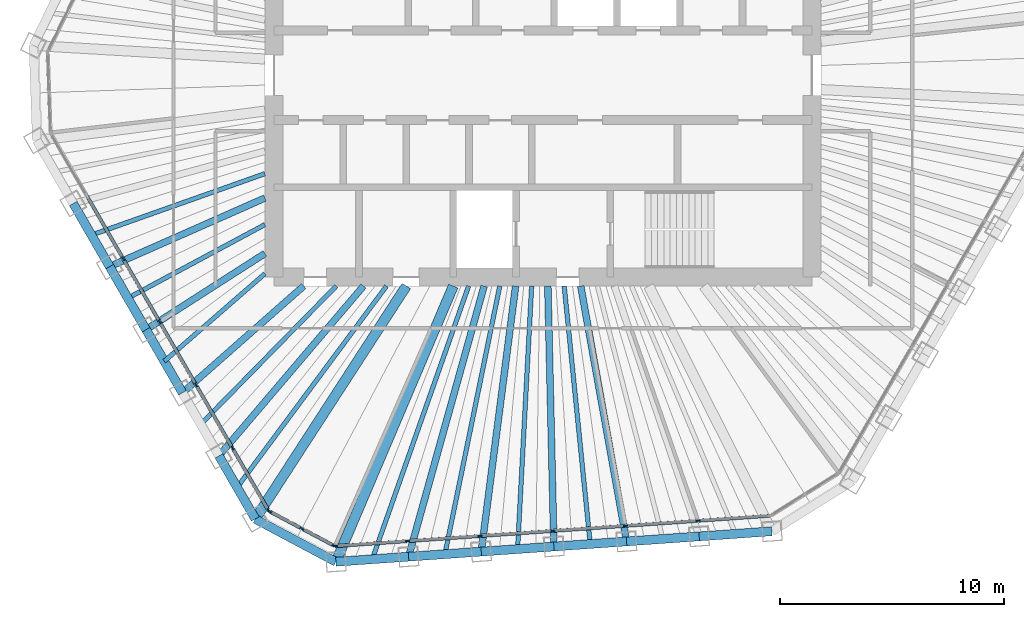
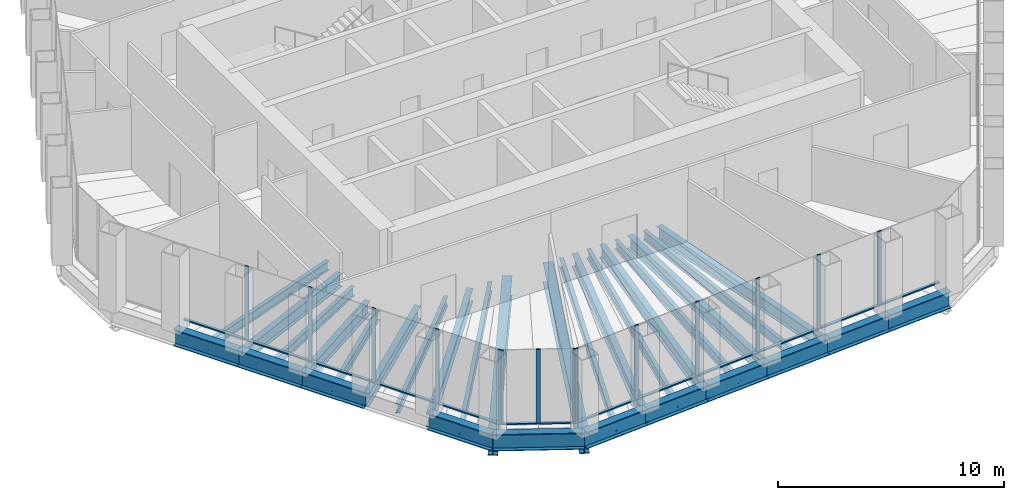
# One storey, part 2 of 14: 30 beams, 27 members, 3 elements without a shape of their own.
"""IFC4 building model written with IfcOpenShell, lengths in metres."""

from ifc_helpers import new_model, si_unit, direction, frame, origin, origin_2d, place, context, subcontext, project, spatial, rectangle, i_section, extrude, material, material_profile, profile_set, type_object, element, aggregate, save


model = new_model("IFC4")

# Units and contexts
model_context = context("Model", 3, precision=1e-05, world=origin(), true_north=direction((0.0, 1.0)))
body_context = subcontext(model_context, "Body", "Model", "MODEL_VIEW")
ifc_project = project(units=[si_unit("LENGTHUNIT", "METRE"), si_unit("AREAUNIT", "SQUARE_METRE"), si_unit("VOLUMEUNIT", "CUBIC_METRE"), si_unit("PLANEANGLEUNIT", "RADIAN"), si_unit("MASSUNIT", "GRAM", prefix="KILO")], contexts=[model_context])

# Site, building, storey
site_placement = place(None, origin())
site = spatial("IfcSite", under=ifc_project, at=site_placement, CompositionType="ELEMENT")
building_placement = place(site_placement, origin())
building = spatial("IfcBuilding", under=site, at=building_placement, Name="Qingtian Harvest Tower", CompositionType="ELEMENT")
storey_placement = place(building_placement, frame((0.0, 0.0, 316.60009765625)))
storey = spatial("IfcBuildingStorey", under=building, at=storey_placement, Name="L70", CompositionType="ELEMENT", Elevation=316.60009765625)

# Beams
ifc_material_1 = material(Name="Steel SM570MC", Category="steel")
ifc_material_profile_1 = material_profile(ifc_material_1, i_section(OverallWidth=0.449951171875, OverallDepth=1.10009765625, WebThickness=0.02197265625, FlangeThickness=0.044921875, at=origin_2d()), Name="H1100x450x22x45")
ifc_profile_set_1 = profile_set([ifc_material_profile_1], Name="Steel SM570MC")
beam_type_1 = type_object("IfcBeamType", Name="Corner floor beam FB8 H1100x450x22x45", PredefinedType="BEAM", material=ifc_profile_set_1)
beam_1_placement = place(storey_placement, frame((-9.231201171875, -21.69677734375, -0.72021484375), z_axis=(0.391505797179, 0.920175641264, 0.0), x_axis=(-0.920175641264, 0.391505797179, 0.0)))
element("IfcBeam", 1, at=beam_1_placement, inside=storey, type_object=beam_type_1, Name="Floor beam FB8 S6", PredefinedType="BEAM", context=body_context, shape_type="SweptSolid", body=[
    extrude(i_section(OverallWidth=0.449951171875, OverallDepth=1.10009765625, WebThickness=0.02197265625, FlangeThickness=0.044921875, at=origin_2d()), origin(), (0.0, 0.0, 1.0), 13.363525390625),
])
beam_2_placement = place(storey_placement, frame((-12.825439453125, -19.78564453125, -0.72021484375), z_axis=(0.543934037964, 0.839127977334, 0.0), x_axis=(-0.839127977334, 0.543934037964, 0.0)))
element("IfcBeam", 2, at=beam_2_placement, inside=storey, type_object=beam_type_1, Name="Floor beam FB8 SW0", PredefinedType="BEAM", context=body_context, shape_type="SweptSolid", body=[
    extrude(i_section(OverallWidth=0.449951171875, OverallDepth=1.10009765625, WebThickness=0.02197265625, FlangeThickness=0.044921875, at=origin_2d()), origin(), (0.0, 0.0, 1.0), 12.376708984375),
])
ifc_material_2 = material(Name="Steel SN490B", Category="steel")
ifc_material_profile_2 = material_profile(ifc_material_2, i_section(OverallWidth=0.300048828125, OverallDepth=0.699951171875, WebThickness=0.012939453125, FlangeThickness=0.02392578125, at=origin_2d()), Name="H700x300x13x24")
ifc_profile_set_2 = profile_set([ifc_material_profile_2], Name="Steel SN490B")
beam_type_2 = type_object("IfcBeamType", Name="Floor beam FB4 H700x300x13x24", PredefinedType="BEAM", material=ifc_profile_set_2)
beam_3_placement = place(storey_placement, frame((3.729248046875, -20.79052734375, -0.52001953125), z_axis=(-0.176558725829, 0.984290107811, 0.0), x_axis=(-0.984290107811, -0.176558725829, 0.0)))
element("IfcBeam", 3, at=beam_3_placement, inside=storey, type_object=beam_type_2, Name="Floor beam FB4 S2", PredefinedType="BEAM", context=body_context, shape_type="SweptSolid", body=[
    extrude(i_section(OverallWidth=0.300048828125, OverallDepth=0.699951171875, WebThickness=0.012939453125, FlangeThickness=0.02392578125, at=origin_2d()), origin(), (0.0, 0.0, 1.0), 11.572509765625),
])
beam_4_placement = place(storey_placement, frame((0.489013671875, -21.01708984375, -0.52001953125), z_axis=(-0.023257829451, 0.9997295001, 0.0), x_axis=(-0.9997295001, -0.023257829451, 0.0)))
element("IfcBeam", 4, at=beam_4_placement, inside=storey, type_object=beam_type_2, Name="Floor beam FB4 S3", PredefinedType="BEAM", context=body_context, shape_type="SweptSolid", body=[
    extrude(i_section(OverallWidth=0.300048828125, OverallDepth=0.699951171875, WebThickness=0.012939453125, FlangeThickness=0.02392578125, at=origin_2d()), origin(), (0.0, 0.0, 1.0), 11.620361328125),
])
beam_5_placement = place(storey_placement, frame((-2.7509765625, -21.24365234375, -0.52001953125), z_axis=(0.128421483878, 0.991719679385, 0.0), x_axis=(-0.991719679385, 0.128421483878, 0.0)))
element("IfcBeam", 5, at=beam_5_placement, inside=storey, type_object=beam_type_2, Name="Floor beam FB4 S4", PredefinedType="BEAM", context=body_context, shape_type="SweptSolid", body=[
    extrude(i_section(OverallWidth=0.300048828125, OverallDepth=0.699951171875, WebThickness=0.012939453125, FlangeThickness=0.02392578125, at=origin_2d()), origin(), (0.0, 0.0, 1.0), 11.942626953125),
])
beam_6_placement = place(storey_placement, frame((-5.9912109375, -21.47021484375, -0.52001953125), z_axis=(0.268777110088, 0.963202400896, 0.0), x_axis=(-0.963202400896, 0.268777110088, 0.0)))
element("IfcBeam", 6, at=beam_6_placement, inside=storey, type_object=beam_type_2, Name="Floor beam FB4 S5", PredefinedType="BEAM", context=body_context, shape_type="SweptSolid", body=[
    extrude(i_section(OverallWidth=0.300048828125, OverallDepth=0.699951171875, WebThickness=0.012939453125, FlangeThickness=0.02392578125, at=origin_2d()), origin(), (0.0, 0.0, 1.0), 12.531494140625),
])
beam_7_placement = place(storey_placement, frame((-14.449462890625, -16.972900390625, -0.52001953125), z_axis=(0.648230392117, 0.761444258457, 0.0), x_axis=(-0.761444258457, 0.648230392117, 0.0)))
element("IfcBeam", 7, at=beam_7_placement, inside=storey, type_object=beam_type_2, Name="Floor beam FB4 SW1", PredefinedType="BEAM", context=body_context, shape_type="SweptSolid", body=[
    extrude(i_section(OverallWidth=0.300048828125, OverallDepth=0.699951171875, WebThickness=0.012939453125, FlangeThickness=0.02392578125, at=origin_2d()), origin(), (0.0, 0.0, 1.0), 9.945556640625),
])
beam_8_placement = place(storey_placement, frame((-16.073486328125, -14.159912109375, -0.52001953125), z_axis=(0.750362998803, 0.661025997997, 0.0), x_axis=(-0.661025997997, 0.750362998803, 0.0)))
element("IfcBeam", 8, at=beam_8_placement, inside=storey, type_object=beam_type_2, Name="Floor beam FB4 SW2", PredefinedType="BEAM", context=body_context, shape_type="SweptSolid", body=[
    extrude(i_section(OverallWidth=0.300048828125, OverallDepth=0.699951171875, WebThickness=0.012939453125, FlangeThickness=0.02392578125, at=origin_2d()), origin(), (0.0, 0.0, 1.0), 7.200927734375),
])
beam_9_placement = place(storey_placement, frame((-17.697509765625, -11.34716796875, -0.52001953125), z_axis=(0.841819476537, 0.539759176785, 0.0), x_axis=(-0.539759176785, 0.841819476537, 0.0)))
element("IfcBeam", 9, at=beam_9_placement, inside=storey, type_object=beam_type_2, Name="Floor beam FB4 SW3", PredefinedType="BEAM", context=body_context, shape_type="SweptSolid", body=[
    extrude(i_section(OverallWidth=0.300048828125, OverallDepth=0.699951171875, WebThickness=0.012939453125, FlangeThickness=0.02392578125, at=origin_2d()), origin(), (0.0, 0.0, 1.0), 6.29296875),
])
beam_10_placement = place(storey_placement, frame((-19.321533203125, -8.5341796875, -0.52001953125), z_axis=(0.914748451897, 0.404023848, 0.0), x_axis=(-0.404023848, 0.914748451897, 0.0)))
element("IfcBeam", 10, at=beam_10_placement, inside=storey, type_object=beam_type_2, Name="Floor beam FB4 SW4", PredefinedType="BEAM", context=body_context, shape_type="SweptSolid", body=[
    extrude(i_section(OverallWidth=0.300048828125, OverallDepth=0.699951171875, WebThickness=0.012939453125, FlangeThickness=0.02392578125, at=origin_2d()), origin(), (0.0, 0.0, 1.0), 7.566650390625),
])
ifc_material_3 = material(Name="Steel SN490B", Category="steel")
ifc_material_profile_3 = material_profile(ifc_material_3, i_section(OverallWidth=0.199951171875, OverallDepth=0.5, WebThickness=0.010009765625, FlangeThickness=0.01611328125, at=origin_2d()), Name="H500x200x10x16")
ifc_profile_set_3 = profile_set([ifc_material_profile_3], Name="Steel SN490B")
beam_type_3 = type_object("IfcBeamType", Name="Floor joist J3 H500x200x10x16", PredefinedType="JOIST", material=ifc_profile_set_3)
beam_11_placement = place(storey_placement, frame((2.109130859375, -20.90380859375, -0.420166015625), z_axis=(-0.100381738783, 0.994948996943, 0.0), x_axis=(-0.994948996943, -0.100381738783, 0.0)))
element("IfcBeam", 11, at=beam_11_placement, inside=storey, type_object=beam_type_3, Name="Floor joist J3 S2", PredefinedType="JOIST", context=body_context, shape_type="SweptSolid", body=[
    extrude(i_section(OverallWidth=0.199951171875, OverallDepth=0.5, WebThickness=0.010009765625, FlangeThickness=0.01611328125, at=origin_2d()), origin(), (0.0, 0.0, 1.0), 11.562255859375),
])
beam_12_placement = place(storey_placement, frame((-1.130859375, -21.13037109375, -0.420166015625), z_axis=(0.053432551321, 0.998571460868, 0.0), x_axis=(-0.998571460868, 0.053432551321, 0.0)))
element("IfcBeam", 12, at=beam_12_placement, inside=storey, type_object=beam_type_3, Name="Floor joist J3 S3", PredefinedType="JOIST", context=body_context, shape_type="SweptSolid", body=[
    extrude(i_section(OverallWidth=0.199951171875, OverallDepth=0.5, WebThickness=0.010009765625, FlangeThickness=0.01611328125, at=origin_2d()), origin(), (0.0, 0.0, 1.0), 11.747314453125),
])
beam_13_placement = place(storey_placement, frame((-4.37109375, -21.35693359375, -0.420166015625), z_axis=(0.200514926646, 0.97969064719, 0.0), x_axis=(-0.97969064719, 0.200514926646, 0.0)))
element("IfcBeam", 13, at=beam_13_placement, inside=storey, type_object=beam_type_3, Name="Floor joist J3 S4", PredefinedType="JOIST", context=body_context, shape_type="SweptSolid", body=[
    extrude(i_section(OverallWidth=0.199951171875, OverallDepth=0.5, WebThickness=0.010009765625, FlangeThickness=0.01611328125, at=origin_2d()), origin(), (0.0, 0.0, 1.0), 12.204833984375),
])
beam_14_placement = place(storey_placement, frame((-7.611083984375, -21.58349609375, -0.420166015625), z_axis=(0.332565071267, 0.9430803112, 0.0), x_axis=(-0.9430803112, 0.332565071267, 0.0)))
element("IfcBeam", 14, at=beam_14_placement, inside=storey, type_object=beam_type_3, Name="Floor joist J3 S5", PredefinedType="JOIST", context=body_context, shape_type="SweptSolid", body=[
    extrude(i_section(OverallWidth=0.199951171875, OverallDepth=0.5, WebThickness=0.010009765625, FlangeThickness=0.01611328125, at=origin_2d()), origin(), (0.0, 0.0, 1.0), 12.9189453125),
])
beam_15_placement = place(storey_placement, frame((-13.637451171875, -18.37939453125, -0.420166015625), z_axis=(0.595869637911, 0.803081175608, 0.0), x_axis=(-0.803081175608, 0.595869637911, 0.0)))
element("IfcBeam", 15, at=beam_15_placement, inside=storey, type_object=beam_type_3, Name="Floor joist J3 SW0", PredefinedType="JOIST", context=body_context, shape_type="SweptSolid", body=[
    extrude(i_section(OverallWidth=0.199951171875, OverallDepth=0.5, WebThickness=0.010009765625, FlangeThickness=0.01611328125, at=origin_2d()), origin(), (0.0, 0.0, 1.0), 11.181396484375),
])
beam_16_placement = place(storey_placement, frame((-15.261474609375, -15.56640625, -0.420166015625), z_axis=(0.700075085428, 0.714069236673, 0.0), x_axis=(-0.714069236673, 0.700075085428, 0.0)))
element("IfcBeam", 16, at=beam_16_placement, inside=storey, type_object=beam_type_3, Name="Floor joist J3 SW1", PredefinedType="JOIST", context=body_context, shape_type="SweptSolid", body=[
    extrude(i_section(OverallWidth=0.199951171875, OverallDepth=0.5, WebThickness=0.010009765625, FlangeThickness=0.01611328125, at=origin_2d()), origin(), (0.0, 0.0, 1.0), 8.6357421875),
])
beam_17_placement = place(storey_placement, frame((-16.885498046875, -12.753662109375, -0.420166015625), z_axis=(0.754351783553, 0.656470400437, 0.0), x_axis=(-0.656470400437, 0.754351783553, 0.0)))
element("IfcBeam", 17, at=beam_17_placement, inside=storey, type_object=beam_type_3, Name="Floor joist J3 SW2", PredefinedType="JOIST", context=body_context, shape_type="SweptSolid", body=[
    extrude(i_section(OverallWidth=0.199951171875, OverallDepth=0.5, WebThickness=0.010009765625, FlangeThickness=0.01611328125, at=origin_2d()), origin(), (0.0, 0.0, 1.0), 5.9462890625),
])
beam_18_placement = place(storey_placement, frame((-18.509521484375, -9.940673828125, -0.420166015625), z_axis=(0.880999592364, 0.473117023847, 0.0), x_axis=(-0.473117023847, 0.880999592364, 0.0)))
element("IfcBeam", 18, at=beam_18_placement, inside=storey, type_object=beam_type_3, Name="Floor joist J3 SW3", PredefinedType="JOIST", context=body_context, shape_type="SweptSolid", body=[
    extrude(i_section(OverallWidth=0.199951171875, OverallDepth=0.5, WebThickness=0.010009765625, FlangeThickness=0.01611328125, at=origin_2d()), origin(), (0.0, 0.0, 1.0), 6.934814453125),
])
beam_19_placement = place(storey_placement, frame((-20.133544921875, -7.1279296875, -0.420166015625), z_axis=(0.942664093486, 0.333743025174, 0.0), x_axis=(-0.333743025174, 0.942664093486, 0.0)))
element("IfcBeam", 19, at=beam_19_placement, inside=storey, type_object=beam_type_3, Name="Floor joist J3 SW4", PredefinedType="JOIST", context=body_context, shape_type="SweptSolid", body=[
    extrude(i_section(OverallWidth=0.199951171875, OverallDepth=0.5, WebThickness=0.010009765625, FlangeThickness=0.01611328125, at=origin_2d()), origin(), (0.0, 0.0, 1.0), 8.2041015625),
])

# Curtain wall, members
ifc_material_4 = material(Name="Bronze-anodised aluminium curtain wall", Category="aluminium")
curtain_wall_type = type_object("IfcCurtainWallType", Name="Curtain wall CW5 upper office", PredefinedType="USERDEFINED", material=ifc_material_4)
curtain_wall_1_placement = place(storey_placement, origin())
curtain_wall_1 = element("IfcCurtainWall", 20, at=curtain_wall_1_placement, inside=storey, type_object=curtain_wall_type, Name="Curtain wall CW5 L70 S0-5", ObjectType="RECESSED CURTAIN WALL", PredefinedType="USERDEFINED")
ifc_material_5 = material(Name="Bronze-anodised aluminium mullion", Category="aluminium")
ifc_material_profile_4 = material_profile(ifc_material_5, rectangle(XDim=0.06494140625, YDim=0.199951171875, at=origin_2d()), Name="AL 65x200")
ifc_profile_set_4 = profile_set([ifc_material_profile_4], Name="Bronze-anodised aluminium mullion")
member_type_1 = type_object("IfcMemberType", Name="Mullion CWM 65x200", PredefinedType="MULLION", material=ifc_profile_set_4)
member_1_placement = place(storey_placement, frame((6.92041015625, -19.86572265625, 0.0), z_axis=(0.0, 0.0, 1.0), x_axis=(0.069756473744, -0.99756405026, 0.0)))
member_1 = element("IfcMember", 21, at=member_1_placement, type_object=member_type_1, Name="CW5 mullion 2", PredefinedType="MULLION", context=body_context, shape_type="SweptSolid", body=[
    extrude(rectangle(XDim=0.06494140625, YDim=0.199951171875, at=origin_2d()), origin(), (0.0, 0.0, 1.0), 4.02978515625),
])
member_2_placement = place(storey_placement, frame((3.680419921875, -20.09228515625, 0.0), z_axis=(0.0, 0.0, 1.0), x_axis=(0.069756473744, -0.99756405026, 0.0)))
member_2 = element("IfcMember", 22, at=member_2_placement, type_object=member_type_1, Name="CW5 mullion 3", PredefinedType="MULLION", context=body_context, shape_type="SweptSolid", body=[
    extrude(rectangle(XDim=0.06494140625, YDim=0.199951171875, at=origin_2d()), origin(), (0.0, 0.0, 1.0), 4.02978515625),
])
member_3_placement = place(storey_placement, frame((0.440185546875, -20.31884765625, 0.0), z_axis=(0.0, 0.0, 1.0), x_axis=(0.069756473744, -0.99756405026, 0.0)))
member_3 = element("IfcMember", 23, at=member_3_placement, type_object=member_type_1, Name="CW5 mullion 4", PredefinedType="MULLION", context=body_context, shape_type="SweptSolid", body=[
    extrude(rectangle(XDim=0.06494140625, YDim=0.199951171875, at=origin_2d()), origin(), (0.0, 0.0, 1.0), 4.02978515625),
])
member_4_placement = place(storey_placement, frame((-2.7998046875, -20.54541015625, 0.0), z_axis=(0.0, 0.0, 1.0), x_axis=(0.069756473744, -0.99756405026, 0.0)))
member_4 = element("IfcMember", 24, at=member_4_placement, type_object=member_type_1, Name="CW5 mullion 5", PredefinedType="MULLION", context=body_context, shape_type="SweptSolid", body=[
    extrude(rectangle(XDim=0.06494140625, YDim=0.199951171875, at=origin_2d()), origin(), (0.0, 0.0, 1.0), 4.02978515625),
])
member_5_placement = place(storey_placement, frame((-6.0400390625, -20.77197265625, 0.0), z_axis=(0.0, 0.0, 1.0), x_axis=(0.069756473744, -0.99756405026, 0.0)))
member_5 = element("IfcMember", 25, at=member_5_placement, type_object=member_type_1, Name="CW5 mullion 6", PredefinedType="MULLION", context=body_context, shape_type="SweptSolid", body=[
    extrude(rectangle(XDim=0.06494140625, YDim=0.199951171875, at=origin_2d()), origin(), (0.0, 0.0, 1.0), 4.02978515625),
])
member_6_placement = place(storey_placement, frame((-9.24755859375, -20.996337890625, 0.0), z_axis=(0.0, 0.0, 1.0), x_axis=(0.069756473744, -0.99756405026, 0.0)))
member_6 = element("IfcMember", 26, at=member_6_placement, type_object=member_type_1, Name="CW5 mullion 7", PredefinedType="MULLION", context=body_context, shape_type="SweptSolid", body=[
    extrude(rectangle(XDim=0.06494140625, YDim=0.199951171875, at=origin_2d()), origin(), (0.0, 0.0, 1.0), 4.02978515625),
])

curtain_wall_2_placement = place(storey_placement, origin())
curtain_wall_2 = element("IfcCurtainWall", 27, at=curtain_wall_2_placement, inside=storey, type_object=curtain_wall_type, Name="Curtain wall CW5 L70 SC", ObjectType="RECESSED CURTAIN WALL", PredefinedType="USERDEFINED")
member_7_placement = place(storey_placement, frame((-9.308837890625, -20.983154296875, 0.0), z_axis=(0.0, 0.0, 1.0), x_axis=(-0.469471562786, -0.882947592859, 0.0)))
member_7 = element("IfcMember", 28, at=member_7_placement, type_object=member_type_1, Name="CW5 mullion 1", PredefinedType="MULLION", context=body_context, shape_type="SweptSolid", body=[
    extrude(rectangle(XDim=0.06494140625, YDim=0.199951171875, at=origin_2d()), origin(), (0.0, 0.0, 1.0), 4.02978515625),
])
member_8_placement = place(storey_placement, frame((-10.749755859375, -20.217041015625, 0.0), z_axis=(0.0, 0.0, 1.0), x_axis=(-0.469471562786, -0.882947592859, 0.0)))
member_8 = element("IfcMember", 29, at=member_8_placement, type_object=member_type_1, Name="CW5 mullion 2", PredefinedType="MULLION", context=body_context, shape_type="SweptSolid", body=[
    extrude(rectangle(XDim=0.06494140625, YDim=0.199951171875, at=origin_2d()), origin(), (0.0, 0.0, 1.0), 4.02978515625),
])
member_9_placement = place(storey_placement, frame((-12.1904296875, -19.450927734375, 0.0), z_axis=(0.0, 0.0, 1.0), x_axis=(-0.469471562786, -0.882947592859, 0.0)))
member_9 = element("IfcMember", 30, at=member_9_placement, type_object=member_type_1, Name="CW5 mullion 3", PredefinedType="MULLION", context=body_context, shape_type="SweptSolid", body=[
    extrude(rectangle(XDim=0.06494140625, YDim=0.199951171875, at=origin_2d()), origin(), (0.0, 0.0, 1.0), 4.02978515625),
])

curtain_wall_3_placement = place(storey_placement, origin())
curtain_wall_3 = element("IfcCurtainWall", 31, at=curtain_wall_3_placement, inside=storey, type_object=curtain_wall_type, Name="Curtain wall CW5 L70 SW0-5", ObjectType="RECESSED CURTAIN WALL", PredefinedType="USERDEFINED")
member_10_placement = place(storey_placement, frame((-12.2353515625, -19.40771484375, 0.0), z_axis=(0.0, 0.0, 1.0), x_axis=(-0.866025403784, -0.5, 0.0)))
member_10 = element("IfcMember", 32, at=member_10_placement, type_object=member_type_1, Name="CW5 mullion 1", PredefinedType="MULLION", context=body_context, shape_type="SweptSolid", body=[
    extrude(rectangle(XDim=0.06494140625, YDim=0.199951171875, at=origin_2d()), origin(), (0.0, 0.0, 1.0), 4.02978515625),
])
member_11_placement = place(storey_placement, frame((-13.84326171875, -16.622802734375, 0.0), z_axis=(0.0, 0.0, 1.0), x_axis=(-0.866025403784, -0.5, 0.0)))
member_11 = element("IfcMember", 33, at=member_11_placement, type_object=member_type_1, Name="CW5 mullion 2", PredefinedType="MULLION", context=body_context, shape_type="SweptSolid", body=[
    extrude(rectangle(XDim=0.06494140625, YDim=0.199951171875, at=origin_2d()), origin(), (0.0, 0.0, 1.0), 4.02978515625),
])
member_12_placement = place(storey_placement, frame((-15.46728515625, -13.81005859375, 0.0), z_axis=(0.0, 0.0, 1.0), x_axis=(-0.866025403784, -0.5, 0.0)))
member_12 = element("IfcMember", 34, at=member_12_placement, type_object=member_type_1, Name="CW5 mullion 3", PredefinedType="MULLION", context=body_context, shape_type="SweptSolid", body=[
    extrude(rectangle(XDim=0.06494140625, YDim=0.199951171875, at=origin_2d()), origin(), (0.0, 0.0, 1.0), 4.02978515625),
])
member_13_placement = place(storey_placement, frame((-17.09130859375, -10.9970703125, 0.0), z_axis=(0.0, 0.0, 1.0), x_axis=(-0.866025403784, -0.5, 0.0)))
member_13 = element("IfcMember", 35, at=member_13_placement, type_object=member_type_1, Name="CW5 mullion 4", PredefinedType="MULLION", context=body_context, shape_type="SweptSolid", body=[
    extrude(rectangle(XDim=0.06494140625, YDim=0.199951171875, at=origin_2d()), origin(), (0.0, 0.0, 1.0), 4.02978515625),
])
member_14_placement = place(storey_placement, frame((-18.71533203125, -8.184326171875, 0.0), z_axis=(0.0, 0.0, 1.0), x_axis=(-0.866025403784, -0.5, 0.0)))
member_14 = element("IfcMember", 36, at=member_14_placement, type_object=member_type_1, Name="CW5 mullion 5", PredefinedType="MULLION", context=body_context, shape_type="SweptSolid", body=[
    extrude(rectangle(XDim=0.06494140625, YDim=0.199951171875, at=origin_2d()), origin(), (0.0, 0.0, 1.0), 4.02978515625),
])

# Beams
ifc_material_6 = material(Name="Steel SN490B", Category="steel")
ifc_material_profile_5 = material_profile(ifc_material_6, i_section(OverallWidth=0.39990234375, OverallDepth=0.89990234375, WebThickness=0.01904296875, FlangeThickness=0.035888671875, at=origin_2d()), Name="H900x400x19x36")
ifc_profile_set_5 = profile_set([ifc_material_profile_5], Name="Steel SN490B")
beam_type_4 = type_object("IfcBeamType", Name="Spandrel beam SB4 H900x400x19x36", PredefinedType="SPANDREL", material=ifc_profile_set_5)
beam_20_placement = place(storey_placement, frame((10.20947265625, -20.33740234375, -0.4501953125), z_axis=(-0.9975644093, -0.069751339047, 0.0), x_axis=(0.069751339047, -0.9975644093, 0.0)))
element("IfcBeam", 37, at=beam_20_placement, inside=storey, type_object=beam_type_4, Name="Spandrel SB4 S0", PredefinedType="SPANDREL", context=body_context, shape_type="SweptSolid", body=[
    extrude(i_section(OverallWidth=0.39990234375, OverallDepth=0.89990234375, WebThickness=0.01904296875, FlangeThickness=0.035888671875, at=origin_2d()), origin(), (0.0, 0.0, 1.0), 3.248046875),
])
beam_21_placement = place(storey_placement, frame((6.96923828125, -20.56396484375, -0.4501953125), z_axis=(-0.997564043571, -0.069756569394, 0.0), x_axis=(0.069756569394, -0.997564043571, 0.0)))
element("IfcBeam", 38, at=beam_21_placement, inside=storey, type_object=beam_type_4, Name="Spandrel SB4 S1", PredefinedType="SPANDREL", context=body_context, shape_type="SweptSolid", body=[
    extrude(i_section(OverallWidth=0.39990234375, OverallDepth=0.89990234375, WebThickness=0.01904296875, FlangeThickness=0.035888671875, at=origin_2d()), origin(), (0.0, 0.0, 1.0), 3.247802734375),
])
beam_22_placement = place(storey_placement, frame((3.729248046875, -20.79052734375, -0.4501953125), z_axis=(-0.9975644093, -0.069751339047, 0.0), x_axis=(0.069751339047, -0.9975644093, 0.0)))
element("IfcBeam", 39, at=beam_22_placement, inside=storey, type_object=beam_type_4, Name="Spandrel SB4 S2", PredefinedType="SPANDREL", context=body_context, shape_type="SweptSolid", body=[
    extrude(i_section(OverallWidth=0.39990234375, OverallDepth=0.89990234375, WebThickness=0.01904296875, FlangeThickness=0.035888671875, at=origin_2d()), origin(), (0.0, 0.0, 1.0), 3.248046875),
])
beam_23_placement = place(storey_placement, frame((0.489013671875, -21.01708984375, -0.4501953125), z_axis=(-0.997564043571, -0.069756569394, 0.0), x_axis=(0.069756569394, -0.997564043571, 0.0)))
element("IfcBeam", 40, at=beam_23_placement, inside=storey, type_object=beam_type_4, Name="Spandrel SB4 S3", PredefinedType="SPANDREL", context=body_context, shape_type="SweptSolid", body=[
    extrude(i_section(OverallWidth=0.39990234375, OverallDepth=0.89990234375, WebThickness=0.01904296875, FlangeThickness=0.035888671875, at=origin_2d()), origin(), (0.0, 0.0, 1.0), 3.247802734375),
])
beam_24_placement = place(storey_placement, frame((-2.7509765625, -21.24365234375, -0.4501953125), z_axis=(-0.9975644093, -0.069751339047, 0.0), x_axis=(0.069751339047, -0.9975644093, 0.0)))
element("IfcBeam", 41, at=beam_24_placement, inside=storey, type_object=beam_type_4, Name="Spandrel SB4 S4", PredefinedType="SPANDREL", context=body_context, shape_type="SweptSolid", body=[
    extrude(i_section(OverallWidth=0.39990234375, OverallDepth=0.89990234375, WebThickness=0.01904296875, FlangeThickness=0.035888671875, at=origin_2d()), origin(), (0.0, 0.0, 1.0), 3.248046875),
])
beam_25_placement = place(storey_placement, frame((-5.9912109375, -21.47021484375, -0.4501953125), z_axis=(-0.997564043571, -0.069756569394, 0.0), x_axis=(0.069756569394, -0.997564043571, 0.0)))
element("IfcBeam", 42, at=beam_25_placement, inside=storey, type_object=beam_type_4, Name="Spandrel SB4 S5", PredefinedType="SPANDREL", context=body_context, shape_type="SweptSolid", body=[
    extrude(i_section(OverallWidth=0.39990234375, OverallDepth=0.89990234375, WebThickness=0.01904296875, FlangeThickness=0.035888671875, at=origin_2d()), origin(), (0.0, 0.0, 1.0), 3.247802734375),
])
beam_26_placement = place(storey_placement, frame((-9.231201171875, -21.69677734375, -0.4501953125), z_axis=(-0.882943273379, 0.469479686456, 0.0), x_axis=(-0.469479686456, -0.882943273379, 0.0)))
element("IfcBeam", 43, at=beam_26_placement, inside=storey, type_object=beam_type_4, Name="Spandrel SB4 SC", PredefinedType="SPANDREL", context=body_context, shape_type="SweptSolid", body=[
    extrude(i_section(OverallWidth=0.39990234375, OverallDepth=0.89990234375, WebThickness=0.01904296875, FlangeThickness=0.035888671875, at=origin_2d()), origin(), (0.0, 0.0, 1.0), 4.07080078125),
])
for number, where, z_axis, x_axis, name in (
    (44, (-12.825439453125, -19.78564453125, -0.4501953125), (-0.500019593356, 0.866014091259, 0.0), (-0.866014091259, -0.500019593356, 0.0), "Spandrel SB4 SW0"),
    (45, (-16.073486328125, -14.159912109375, -0.4501953125), (-0.500019593356, 0.866014091259, 0.0), (-0.866014091259, -0.500019593356, 0.0), "Spandrel SB4 SW2"),
):
    element("IfcBeam", number, at=place(storey_placement, frame(where, z_axis=z_axis, x_axis=x_axis)), inside=storey, type_object=beam_type_4, Name=name, PredefinedType="SPANDREL", context=body_context, shape_type="SweptSolid", body=[
        extrude(i_section(OverallWidth=0.39990234375, OverallDepth=0.89990234375, WebThickness=0.01904296875, FlangeThickness=0.035888671875, at=origin_2d()), origin(), (0.0, 0.0, 1.0), 3.247802734375),
    ])
beam_27_placement = place(storey_placement, frame((-17.697509765625, -11.34716796875, -0.4501953125), z_axis=(-0.499987045439, 0.866032882975, 0.0), x_axis=(-0.866032882975, -0.499987045439, 0.0)))
element("IfcBeam", 46, at=beam_27_placement, inside=storey, type_object=beam_type_4, Name="Spandrel SB4 SW3", PredefinedType="SPANDREL", context=body_context, shape_type="SweptSolid", body=[
    extrude(i_section(OverallWidth=0.39990234375, OverallDepth=0.89990234375, WebThickness=0.01904296875, FlangeThickness=0.035888671875, at=origin_2d()), origin(), (0.0, 0.0, 1.0), 3.248046875),
])
beam_28_placement = place(storey_placement, frame((-19.321533203125, -8.5341796875, -0.4501953125), z_axis=(-0.500019593356, 0.866014091259, 0.0), x_axis=(-0.866014091259, -0.500019593356, 0.0)))
element("IfcBeam", 47, at=beam_28_placement, inside=storey, type_object=beam_type_4, Name="Spandrel SB4 SW4", PredefinedType="SPANDREL", context=body_context, shape_type="SweptSolid", body=[
    extrude(i_section(OverallWidth=0.39990234375, OverallDepth=0.89990234375, WebThickness=0.01904296875, FlangeThickness=0.035888671875, at=origin_2d()), origin(), (0.0, 0.0, 1.0), 3.247802734375),
])

# Member
ifc_material_7 = material(Name="Bronze-anodised aluminium transom", Category="aluminium")
ifc_material_profile_6 = material_profile(ifc_material_7, rectangle(XDim=0.14990234375, YDim=0.06494140625, at=origin_2d()), Name="AL 65x150")
ifc_profile_set_6 = profile_set([ifc_material_profile_6], Name="Bronze-anodised aluminium transom")
member_type_2 = type_object("IfcMemberType", Name="Transom CWT 65x150", PredefinedType="USERDEFINED", material=ifc_profile_set_6)
member_15_placement = place(storey_placement, frame((10.095703125, -19.6435546875, 0.032470703125), z_axis=(-0.997564955301, -0.069743529851, 0.0), x_axis=(0.069743529851, -0.997564955301, 0.0)))
member_15 = element("IfcMember", 48, at=member_15_placement, type_object=member_type_2, Name="CW5 transom 1.1", ObjectType="TRANSOM", PredefinedType="USERDEFINED", context=body_context, shape_type="SweptSolid", body=[
    extrude(rectangle(XDim=0.14990234375, YDim=0.06494140625, at=origin_2d()), origin(), (0.0, 0.0, 1.0), 3.150390625),
])

member_16_placement = place(storey_placement, frame((6.88818359375, -19.867919921875, 0.032470703125), z_axis=(-0.997566548107, -0.069720743674, 0.0), x_axis=(0.069720743674, -0.997566548107, 0.0)))
member_16 = element("IfcMember", 49, at=member_16_placement, type_object=member_type_2, Name="CW5 transom 2.1", ObjectType="TRANSOM", PredefinedType="USERDEFINED", context=body_context, shape_type="SweptSolid", body=[
    extrude(rectangle(XDim=0.14990234375, YDim=0.06494140625, at=origin_2d()), origin(), (0.0, 0.0, 1.0), 3.18310546875),
])

member_17_placement = place(storey_placement, frame((3.64794921875, -20.094482421875, 0.032470703125), z_axis=(-0.997566548107, -0.069720743674, 0.0), x_axis=(0.069720743674, -0.997566548107, 0.0)))
member_17 = element("IfcMember", 50, at=member_17_placement, type_object=member_type_2, Name="CW5 transom 3.1", ObjectType="TRANSOM", PredefinedType="USERDEFINED", context=body_context, shape_type="SweptSolid", body=[
    extrude(rectangle(XDim=0.14990234375, YDim=0.06494140625, at=origin_2d()), origin(), (0.0, 0.0, 1.0), 3.18310546875),
])

member_18_placement = place(storey_placement, frame((0.407958984375, -20.321044921875, 0.032470703125), z_axis=(-0.997566548107, -0.069720743674, 0.0), x_axis=(0.069720743674, -0.997566548107, 0.0)))
member_18 = element("IfcMember", 51, at=member_18_placement, type_object=member_type_2, Name="CW5 transom 4.1", ObjectType="TRANSOM", PredefinedType="USERDEFINED", context=body_context, shape_type="SweptSolid", body=[
    extrude(rectangle(XDim=0.14990234375, YDim=0.06494140625, at=origin_2d()), origin(), (0.0, 0.0, 1.0), 3.18310546875),
])

member_19_placement = place(storey_placement, frame((-2.832275390625, -20.547607421875, 0.032470703125), z_axis=(-0.997561210613, -0.06979707071, 0.0), x_axis=(0.06979707071, -0.997561210613, 0.0)))
member_19 = element("IfcMember", 52, at=member_19_placement, type_object=member_type_2, Name="CW5 transom 5.1", ObjectType="TRANSOM", PredefinedType="USERDEFINED", context=body_context, shape_type="SweptSolid", body=[
    extrude(rectangle(XDim=0.14990234375, YDim=0.06494140625, at=origin_2d()), origin(), (0.0, 0.0, 1.0), 3.18310546875),
])

member_20_placement = place(storey_placement, frame((-6.072509765625, -20.774169921875, 0.032470703125), z_axis=(-0.997564955301, -0.069743529851, 0.0), x_axis=(0.069743529851, -0.997564955301, 0.0)))
member_20 = element("IfcMember", 53, at=member_20_placement, type_object=member_type_2, Name="CW5 transom 6.1", ObjectType="TRANSOM", PredefinedType="USERDEFINED", context=body_context, shape_type="SweptSolid", body=[
    extrude(rectangle(XDim=0.14990234375, YDim=0.06494140625, at=origin_2d()), origin(), (0.0, 0.0, 1.0), 3.150390625),
])

aggregate(curtain_wall_1, [member_1, member_2, member_3, member_4, member_5, member_6, member_15, member_16, member_17, member_18, member_19, member_20])

member_21_placement = place(storey_placement, frame((-9.33740234375, -20.968017578125, 0.032470703125), z_axis=(-0.882960338349, 0.46944759122, 0.0), x_axis=(-0.46944759122, -0.882960338349, 0.0)))
member_21 = element("IfcMember", 54, at=member_21_placement, type_object=member_type_2, Name="CW5 transom 1.1", ObjectType="TRANSOM", PredefinedType="USERDEFINED", context=body_context, shape_type="SweptSolid", body=[
    extrude(rectangle(XDim=0.14990234375, YDim=0.06494140625, at=origin_2d()), origin(), (0.0, 0.0, 1.0), 1.56689453125),
])

member_22_placement = place(storey_placement, frame((-10.7783203125, -20.201904296875, 0.032470703125), z_axis=(-0.882960338349, 0.46944759122, 0.0), x_axis=(-0.46944759122, -0.882960338349, 0.0)))
member_22 = element("IfcMember", 55, at=member_22_placement, type_object=member_type_2, Name="CW5 transom 2.1", ObjectType="TRANSOM", PredefinedType="USERDEFINED", context=body_context, shape_type="SweptSolid", body=[
    extrude(rectangle(XDim=0.14990234375, YDim=0.06494140625, at=origin_2d()), origin(), (0.0, 0.0, 1.0), 1.56689453125),
])

aggregate(curtain_wall_2, [member_7, member_8, member_9, member_21, member_22])

member_23_placement = place(storey_placement, frame((-12.251708984375, -19.37939453125, 0.032470703125), z_axis=(-0.50000643655, 0.866021687608, 0.0), x_axis=(-0.866021687608, -0.50000643655, 0.0)))
member_23 = element("IfcMember", 56, at=member_23_placement, type_object=member_type_2, Name="CW5 transom 1.1", ObjectType="TRANSOM", PredefinedType="USERDEFINED", context=body_context, shape_type="SweptSolid", body=[
    extrude(rectangle(XDim=0.14990234375, YDim=0.06494140625, at=origin_2d()), origin(), (0.0, 0.0, 1.0), 3.150390625),
])

member_24_placement = place(storey_placement, frame((-13.859375, -16.5947265625, 0.032470703125), z_axis=(-0.5000079448, 0.866020816803, 0.0), x_axis=(-0.866020816803, -0.5000079448, 0.0)))
member_24 = element("IfcMember", 57, at=member_24_placement, type_object=member_type_2, Name="CW5 transom 2.1", ObjectType="TRANSOM", PredefinedType="USERDEFINED", context=body_context, shape_type="SweptSolid", body=[
    extrude(rectangle(XDim=0.14990234375, YDim=0.06494140625, at=origin_2d()), origin(), (0.0, 0.0, 1.0), 3.18310546875),
])

member_25_placement = place(storey_placement, frame((-15.4833984375, -13.78173828125, 0.032470703125), z_axis=(-0.500041159108, 0.866001639258, 0.0), x_axis=(-0.866001639258, -0.500041159108, 0.0)))
member_25 = element("IfcMember", 58, at=member_25_placement, type_object=member_type_2, Name="CW5 transom 3.1", ObjectType="TRANSOM", PredefinedType="USERDEFINED", context=body_context, shape_type="SweptSolid", body=[
    extrude(rectangle(XDim=0.14990234375, YDim=0.06494140625, at=origin_2d()), origin(), (0.0, 0.0, 1.0), 3.182861328125),
])

member_26_placement = place(storey_placement, frame((-17.107421875, -10.968994140625, 0.032470703125), z_axis=(-0.5000079448, 0.866020816803, 0.0), x_axis=(-0.866020816803, -0.5000079448, 0.0)))
member_26 = element("IfcMember", 59, at=member_26_placement, type_object=member_type_2, Name="CW5 transom 4.1", ObjectType="TRANSOM", PredefinedType="USERDEFINED", context=body_context, shape_type="SweptSolid", body=[
    extrude(rectangle(XDim=0.14990234375, YDim=0.06494140625, at=origin_2d()), origin(), (0.0, 0.0, 1.0), 3.18310546875),
])

member_27_placement = place(storey_placement, frame((-18.7314453125, -8.156005859375, 0.032470703125), z_axis=(-0.5000079448, 0.866020816803, 0.0), x_axis=(-0.866020816803, -0.5000079448, 0.0)))
member_27 = element("IfcMember", 60, at=member_27_placement, type_object=member_type_2, Name="CW5 transom 5.1", ObjectType="TRANSOM", PredefinedType="USERDEFINED", context=body_context, shape_type="SweptSolid", body=[
    extrude(rectangle(XDim=0.14990234375, YDim=0.06494140625, at=origin_2d()), origin(), (0.0, 0.0, 1.0), 3.18310546875),
])

aggregate(curtain_wall_3, [member_10, member_11, member_12, member_13, member_14, member_23, member_24, member_25, member_26, member_27])

save(model, "model.ifc")
